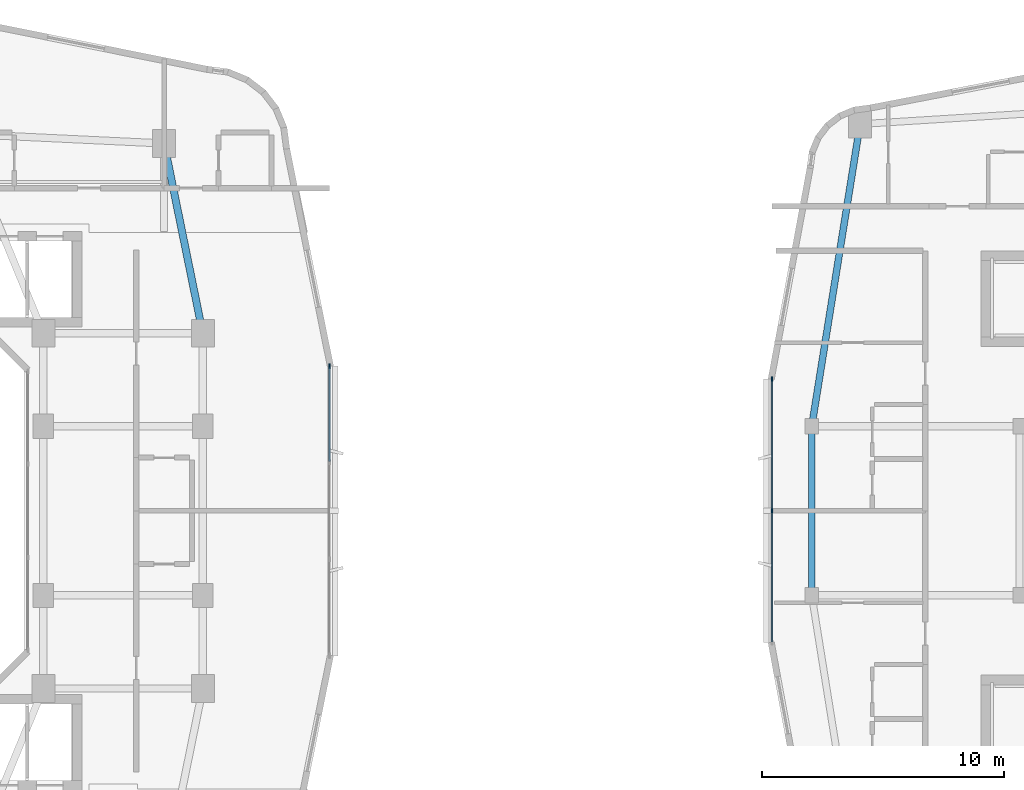
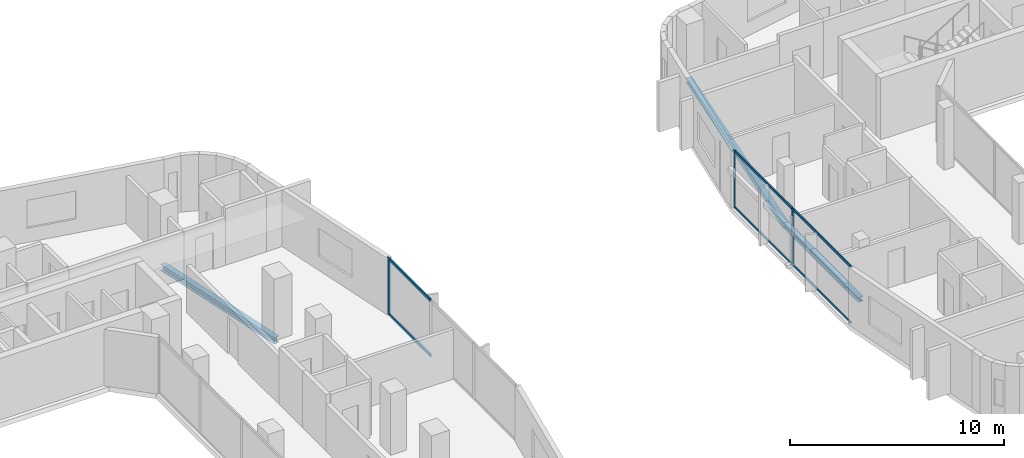
# One storey, part 6 of 26: 9 members, 3 beams, 2 elements without a shape of their own.
"""IFC4 building model written with IfcOpenShell, lengths in metres."""

from ifc_helpers import new_model, si_unit, derived_unit, direction, frame, origin, origin_2d, place, context, subcontext, project, spatial, rectangle, i_section, extrude, material, layer, layer_set, material_profile, profile_set, type_object, element, aggregate, save


model = new_model("IFC4")

# Units and contexts
model_context = context("Model", 3, precision=1e-05, world=origin(), true_north=direction((0.0, 1.0)))
body_context = subcontext(model_context, "Body", "Model", "MODEL_VIEW")
ifc_project = project(units=[si_unit("LENGTHUNIT", "METRE"), si_unit("AREAUNIT", "SQUARE_METRE"), si_unit("VOLUMEUNIT", "CUBIC_METRE"), si_unit("PLANEANGLEUNIT", "RADIAN"), si_unit("MASSUNIT", "GRAM", prefix="KILO"), derived_unit("THERMALTRANSMITTANCEUNIT", [(si_unit("POWERUNIT", "WATT"), 1), (si_unit("LENGTHUNIT", "METRE"), -2), (si_unit("THERMODYNAMICTEMPERATUREUNIT", "KELVIN"), -1)])], contexts=[model_context])

# Site, building, storey
site_placement = place(None, origin())
site = spatial("IfcSite", under=ifc_project, at=site_placement, CompositionType="ELEMENT")
building_placement = place(site_placement, origin())
building = spatial("IfcBuilding", under=site, at=building_placement, Name="Kivonza Crest Hotel", CompositionType="ELEMENT")
storey_placement = place(building_placement, frame((0.0, 0.0, 127.5)))
storey = spatial("IfcBuildingStorey", under=building, at=storey_placement, Name="L34", CompositionType="ELEMENT", Elevation=127.5)

# Beams
ifc_material_1 = material(Name="Steel S355", Category="steel")
ifc_material_profile_1 = material_profile(ifc_material_1, i_section(OverallWidth=0.280029296875, OverallDepth=0.280029296875, WebThickness=0.010498046875, FlangeThickness=0.01806640625, FilletRadius=0.02392578125, at=origin_2d()), Name="HEB 280")
ifc_profile_set_1 = profile_set([ifc_material_profile_1], Name="Steel S355")
beam_type_1 = type_object("IfcBeamType", Name="BM-HEB280", PredefinedType="SPANDREL", material=ifc_profile_set_1)
beam_1_placement = place(storey_placement, frame((63.0, 41.0, -0.389892578125), z_axis=(-0.157990501107, -0.987440631917, 0.0), x_axis=(0.987440631917, -0.157990501107, 0.0)))
element("IfcBeam", 1, at=beam_1_placement, inside=storey, type_object=beam_type_1, Name="Companion Tower T2 L34 perimeter spandrel NW-W2", PredefinedType="SPANDREL", context=body_context, shape_type="SweptSolid", body=[
    extrude(i_section(OverallWidth=0.280029296875, OverallDepth=0.280029296875, WebThickness=0.010498046875, FlangeThickness=0.01806640625, FilletRadius=0.02392578125, at=origin_2d()), origin(), (0.0, 0.0, 1.0), 12.658935546875),
])
beam_2_placement = place(storey_placement, frame((61.0, 28.5, -0.389892578125), z_axis=(0.0, -1.0, 0.0), x_axis=(1.0, 0.0, 0.0)))
element("IfcBeam", 2, at=beam_2_placement, inside=storey, type_object=beam_type_1, Name="Companion Tower T2 L34 perimeter spandrel W2-W1", PredefinedType="SPANDREL", context=body_context, shape_type="SweptSolid", body=[
    extrude(i_section(OverallWidth=0.280029296875, OverallDepth=0.280029296875, WebThickness=0.010498046875, FlangeThickness=0.01806640625, FilletRadius=0.02392578125, at=origin_2d()), origin(), (0.0, 0.0, 1.0), 7.0),
])
ifc_material_profile_2 = material_profile(ifc_material_1, i_section(OverallWidth=0.300048828125, OverallDepth=0.360107421875, WebThickness=0.012451171875, FlangeThickness=0.0224609375, FilletRadius=0.027099609375, at=origin_2d()), Name="HEB 360")
ifc_profile_set_2 = profile_set([ifc_material_profile_2], Name="Steel S355")
beam_type_2 = type_object("IfcBeamType", Name="BM-HEB360", PredefinedType="SPANDREL", material=ifc_profile_set_2)
beam_3_placement = place(storey_placement, frame((35.800048828125, 32.35009765625, -0.4599609375), z_axis=(-0.199730733965, 0.979850822273, 0.0), x_axis=(-0.979850822273, -0.199730733965, 0.0)))
element("IfcBeam", 3, at=beam_3_placement, inside=storey, type_object=beam_type_2, Name="Tower T1 L34 perimeter spandrel PNE-NE", PredefinedType="SPANDREL", context=body_context, shape_type="SweptSolid", body=[
    extrude(i_section(OverallWidth=0.300048828125, OverallDepth=0.360107421875, WebThickness=0.012451171875, FlangeThickness=0.0224609375, FilletRadius=0.027099609375, at=origin_2d()), origin(), (0.0, 0.0, 1.0), 8.01123046875),
])

# Curtain wall, members
ifc_material_2 = material(Name="Anodised bronze aluminium and low-E double glazing", Category="aluminium")
ifc_layer_1 = layer(ifc_material_2, 0.179931640625)
ifc_layer_set_1 = layer_set([ifc_layer_1], Name="Anodised bronze aluminium and low-E double glazing")
curtain_wall_type_1 = type_object("IfcCurtainWallType", Name="CW-SYS-4", PredefinedType="NOTDEFINED", material=ifc_layer_set_1)
curtain_wall_1_placement = place(storey_placement, origin())
curtain_wall_1 = element("IfcCurtainWall", 4, at=curtain_wall_1_placement, inside=storey, type_object=curtain_wall_type_1, Name="L34 unitised curtain wall CW-T2-L34-35", PredefinedType="NOTDEFINED")
ifc_material_3 = material(Name="Anodised bronze aluminium", Category="aluminium")
ifc_material_profile_3 = material_profile(ifc_material_3, rectangle(XDim=0.06494140625, YDim=0.179931640625, at=origin_2d()), Name="CW-M 65x180")
ifc_profile_set_3 = profile_set([ifc_material_profile_3], Name="Anodised bronze aluminium")
member_type_1 = type_object("IfcMemberType", Name="CW-MUL-65x180", PredefinedType="MULLION", material=ifc_profile_set_3)
member_1_placement = place(storey_placement, frame((59.360107421875, 30.447509765625, 0.0), z_axis=(0.0, 0.0, 1.0), x_axis=(1.0, 0.0, 0.0)))
member_1 = element("IfcMember", 5, at=member_1_placement, type_object=member_type_1, Name="CW-4 mullion 1", PredefinedType="MULLION", context=body_context, shape_type="SweptSolid", body=[
    extrude(rectangle(XDim=0.06494140625, YDim=0.179931640625, at=origin_2d()), origin(), (0.0, 0.0, 1.0), 3.25),
])
member_2_placement = place(storey_placement, frame((59.360107421875, 25.0, 0.0), z_axis=(0.0, 0.0, 1.0), x_axis=(1.0, 0.0, 0.0)))
member_2 = element("IfcMember", 6, at=member_2_placement, type_object=member_type_1, Name="CW-4 mullion 2", PredefinedType="MULLION", context=body_context, shape_type="SweptSolid", body=[
    extrude(rectangle(XDim=0.06494140625, YDim=0.179931640625, at=origin_2d()), origin(), (0.0, 0.0, 1.0), 3.25),
])

# Curtain wall, member
ifc_layer_2 = layer(ifc_material_2, 0.179931640625)
ifc_layer_set_2 = layer_set([ifc_layer_2], Name="Anodised bronze aluminium and low-E double glazing")
curtain_wall_type_2 = type_object("IfcCurtainWallType", Name="CW-SYS-3", PredefinedType="NOTDEFINED", material=ifc_layer_set_2)
curtain_wall_2_placement = place(storey_placement, origin())
curtain_wall_2 = element("IfcCurtainWall", 7, at=curtain_wall_2_placement, inside=storey, type_object=curtain_wall_type_2, Name="L34 unitised curtain wall CW-T1-L34-17", PredefinedType="NOTDEFINED")
ifc_material_profile_4 = material_profile(ifc_material_3, rectangle(XDim=0.074951171875, YDim=0.219970703125, at=origin_2d()), Name="CW-M 75x220")
ifc_profile_set_4 = profile_set([ifc_material_profile_4], Name="Anodised bronze aluminium")
member_type_2 = type_object("IfcMemberType", Name="CW-MUL-75x220", PredefinedType="MULLION", material=ifc_profile_set_4)
member_3_placement = place(storey_placement, frame((41.0400390625, 30.982421875, 0.0), z_axis=(0.0, 0.0, 1.0), x_axis=(-1.0, 0.0, 0.0)))
member_3 = element("IfcMember", 8, at=member_3_placement, type_object=member_type_2, Name="CW-3 mullion 4", PredefinedType="MULLION", context=body_context, shape_type="SweptSolid", body=[
    extrude(rectangle(XDim=0.074951171875, YDim=0.219970703125, at=origin_2d()), origin(), (0.0, 0.0, 1.0), 3.219970703125),
])

# Member
ifc_material_profile_5 = material_profile(ifc_material_3, rectangle(XDim=0.06494140625, YDim=0.139892578125, at=origin_2d()), Name="CW-T 65x140")
ifc_profile_set_5 = profile_set([ifc_material_profile_5], Name="Anodised bronze aluminium")
member_type_3 = type_object("IfcMemberType", Name="CW-TRN-65x140", PredefinedType="USERDEFINED", material=ifc_profile_set_5)
member_4_placement = place(storey_placement, frame((59.360107421875, 30.4150390625, 0.032470703125), z_axis=(0.0, -1.0, 0.0), x_axis=(1.0, 0.0, 0.0)))
member_4 = element("IfcMember", 9, at=member_4_placement, type_object=member_type_3, Name="CW-4 transom 1.1", ObjectType="TRANSOM", PredefinedType="USERDEFINED", context=body_context, shape_type="SweptSolid", body=[
    extrude(rectangle(XDim=0.06494140625, YDim=0.139892578125, at=origin_2d()), origin(), (0.0, 0.0, 1.0), 5.382568359375),
])

member_5_placement = place(storey_placement, frame((59.360107421875, 30.4150390625, 3.217529296875), z_axis=(0.0, -1.0, 0.0), x_axis=(1.0, 0.0, 0.0)))
member_5 = element("IfcMember", 10, at=member_5_placement, type_object=member_type_3, Name="CW-4 transom 1.2", ObjectType="TRANSOM", PredefinedType="USERDEFINED", context=body_context, shape_type="SweptSolid", body=[
    extrude(rectangle(XDim=0.06494140625, YDim=0.139892578125, at=origin_2d()), origin(), (0.0, 0.0, 1.0), 5.382568359375),
])

member_6_placement = place(storey_placement, frame((59.360107421875, 24.967529296875, 0.032470703125), z_axis=(0.0, -1.0, 0.0), x_axis=(1.0, 0.0, 0.0)))
member_6 = element("IfcMember", 11, at=member_6_placement, type_object=member_type_3, Name="CW-4 transom 2.1", ObjectType="TRANSOM", PredefinedType="USERDEFINED", context=body_context, shape_type="SweptSolid", body=[
    extrude(rectangle(XDim=0.06494140625, YDim=0.139892578125, at=origin_2d()), origin(), (0.0, 0.0, 1.0), 5.382568359375),
])

member_7_placement = place(storey_placement, frame((59.360107421875, 24.967529296875, 3.217529296875), z_axis=(0.0, -1.0, 0.0), x_axis=(1.0, 0.0, 0.0)))
member_7 = element("IfcMember", 12, at=member_7_placement, type_object=member_type_3, Name="CW-4 transom 2.2", ObjectType="TRANSOM", PredefinedType="USERDEFINED", context=body_context, shape_type="SweptSolid", body=[
    extrude(rectangle(XDim=0.06494140625, YDim=0.139892578125, at=origin_2d()), origin(), (0.0, 0.0, 1.0), 5.382568359375),
])

aggregate(curtain_wall_1, [member_1, member_2, member_4, member_5, member_6, member_7])

ifc_material_profile_6 = material_profile(ifc_material_3, rectangle(XDim=0.074951171875, YDim=0.159912109375, at=origin_2d()), Name="CW-T 75x160")
ifc_profile_set_6 = profile_set([ifc_material_profile_6], Name="Anodised bronze aluminium")
member_type_4 = type_object("IfcMemberType", Name="CW-TRN-75x160", PredefinedType="USERDEFINED", material=ifc_profile_set_6)
member_8_placement = place(storey_placement, frame((41.0400390625, 27.044189453125, 0.03759765625), z_axis=(0.0, 1.0, 0.0), x_axis=(-1.0, 0.0, 0.0)))
member_8 = element("IfcMember", 13, at=member_8_placement, type_object=member_type_4, Name="CW-3 transom 3.1", ObjectType="TRANSOM", PredefinedType="USERDEFINED", context=body_context, shape_type="SweptSolid", body=[
    extrude(rectangle(XDim=0.074951171875, YDim=0.159912109375, at=origin_2d()), origin(), (0.0, 0.0, 1.0), 3.90087890625),
])

member_9_placement = place(storey_placement, frame((41.0400390625, 27.044189453125, 3.1826171875), z_axis=(0.0, 1.0, 0.0), x_axis=(-1.0, 0.0, 0.0)))
member_9 = element("IfcMember", 14, at=member_9_placement, type_object=member_type_4, Name="CW-3 transom 3.2", ObjectType="TRANSOM", PredefinedType="USERDEFINED", context=body_context, shape_type="SweptSolid", body=[
    extrude(rectangle(XDim=0.074951171875, YDim=0.159912109375, at=origin_2d()), origin(), (0.0, 0.0, 1.0), 3.90087890625),
])

aggregate(curtain_wall_2, [member_3, member_8, member_9])

save(model, "model.ifc")
